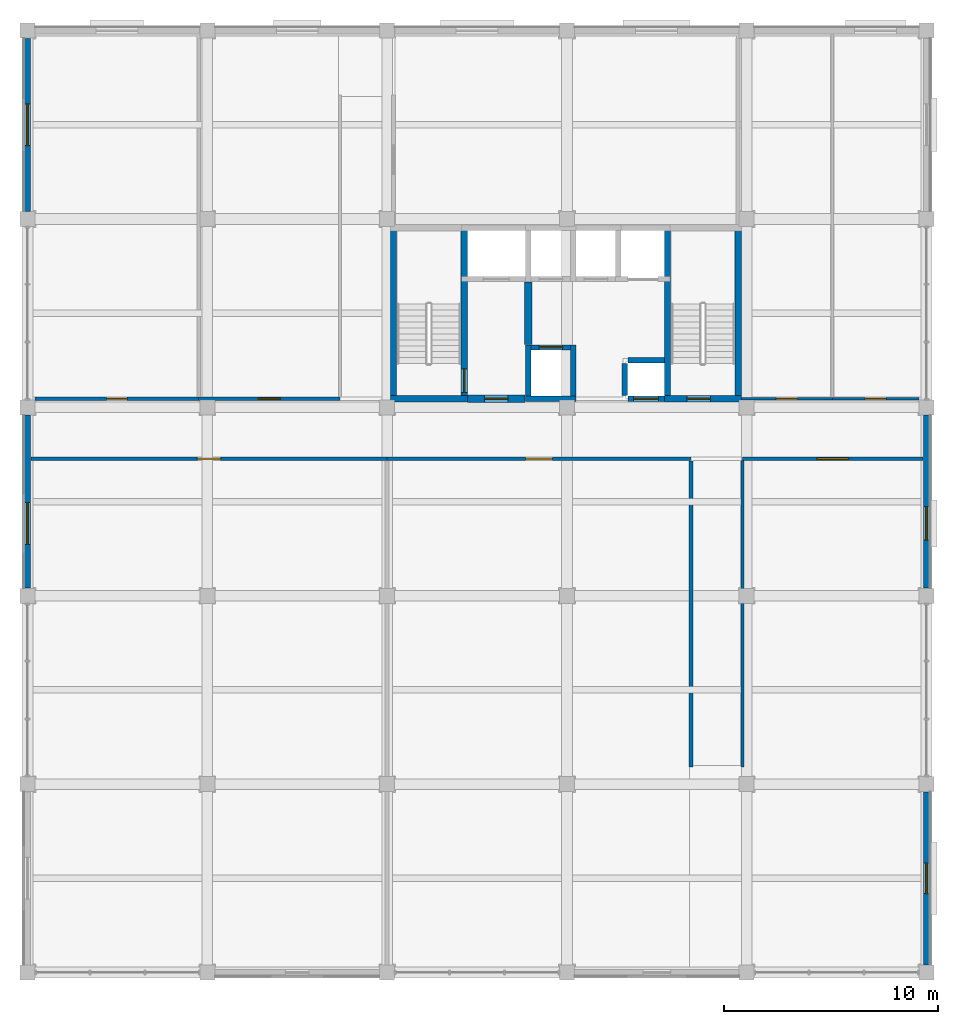
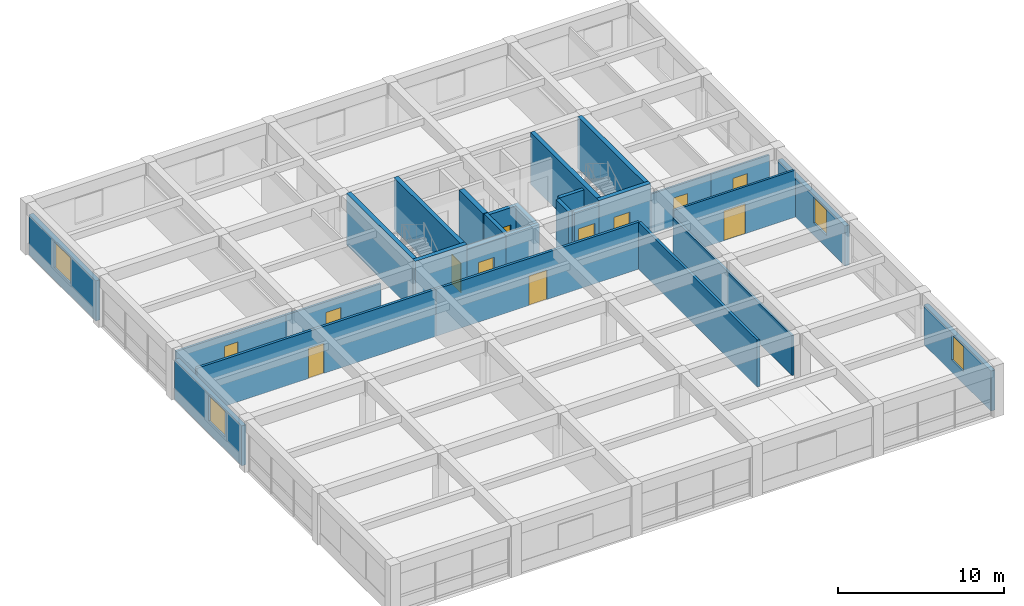
# One storey, part 8 of 12: 28 walls, 12 doors, 4 windows, 16 openings.
"""IFC4 building model written with IfcOpenShell, lengths in metres."""

from ifc_helpers import new_model, si_unit, direction, frame, frame_2d, origin, place, context, subcontext, project, spatial, rectangle, extrude, material, layer, layer_set, type_object, element, fill, save


model = new_model("IFC4")

# Units and contexts
model_context = context("Model", 3, precision=1e-05, world=origin(), true_north=direction((0.0, 1.0)))
body_context = subcontext(model_context, "Body", "Model", "MODEL_VIEW")
ifc_project = project(units=[si_unit("LENGTHUNIT", "METRE"), si_unit("AREAUNIT", "SQUARE_METRE"), si_unit("VOLUMEUNIT", "CUBIC_METRE"), si_unit("PLANEANGLEUNIT", "RADIAN"), si_unit("MASSUNIT", "GRAM", prefix="KILO")], contexts=[model_context])

# Site, building, storey
site_placement = place(None, origin())
site = spatial("IfcSite", under=ifc_project, at=site_placement, CompositionType="ELEMENT")
building_placement = place(site_placement, origin())
building = spatial("IfcBuilding", under=site, at=building_placement, Name="Kemercrest Conservatory and Botanical Centre", CompositionType="ELEMENT")
storey_placement = place(building_placement, frame((0.0, 0.0, 21.0)))
storey = spatial("IfcBuildingStorey", under=building, at=storey_placement, Name="L05", CompositionType="ELEMENT", Elevation=21.0)

# Wall
ifc_material_1 = material(Name="Concrete C50/60", Category="concrete")
ifc_layer_1 = layer(ifc_material_1, 0.35009765625)
ifc_layer_set_1 = layer_set([ifc_layer_1], Name="Concrete C50/60")
wall_type_1 = type_object("IfcWallType", Name="CW-CORE", PredefinedType="SHEAR", material=ifc_layer_set_1)
wall_1_placement = place(storey_placement, frame((157.39990234375, 107.75, 0.0), z_axis=(0.0, 0.0, 1.0), x_axis=(0.0, 1.0, 0.0)))
element("IfcWall", 1, at=wall_1_placement, inside=storey, type_object=wall_type_1, Name="Firefighting lift lobby 2-hour separation shear wall", PredefinedType="SHEAR", context=body_context, shape_type="SweptSolid", body=[
    extrude(rectangle(XDim=2.89990234375, YDim=0.35009765625, at=frame_2d((1.449951171875, 0.0))), origin(), (0.0, 0.0, 1.0), 3.47998046875),
])

# Wall, opening, door
wall_2_placement = place(storey_placement, frame((154.550048828125, 105.199951171875, 0.0), z_axis=(0.0, 0.0, 1.0), x_axis=(1.0, 0.0, 0.0)))
wall_2 = element("IfcWall", 2, at=wall_2_placement, inside=storey, type_object=wall_type_1, Name="Firefighting lift lobby south shear wall", PredefinedType="SHEAR", context=body_context, shape_type="SweptSolid", body=[
    extrude(rectangle(XDim=2.699951171875, YDim=0.35009765625, at=frame_2d((1.35009765625, 0.0))), origin(), (0.0, 0.0, 1.0), 3.47998046875),
])
opening_1_placement = place(wall_2_placement, frame((0.800048828125, 0.0, 0.0)))
opening_1 = element("IfcOpeningElement", 3, at=opening_1_placement, cuts=wall_2, Name="Opening D081", PredefinedType="OPENING", context=body_context, shape_type="SweptSolid", body=[
    extrude(rectangle(XDim=1.10009765625, YDim=2.199951171875, at=frame_2d((0.550048828125, 1.10009765625))), frame((0.0, 0.18505859375, 0.0), z_axis=(0.0, -1.0, 0.0), x_axis=(1.0, 0.0, 0.0)), (0.0, 0.0, 1.0), 0.3701171875),
])
ifc_material_2 = material(Name="Powder-coated galvanized steel and fire-rated vision glass", Category="steel")
door_type_1 = type_object("IfcDoorType", Name="DT-FD90", OperationType="NOTDEFINED", PredefinedType="DOOR", material=ifc_material_2)
door_1_placement = place(opening_1_placement, origin())
door_1 = element("IfcDoor", 4, at=door_1_placement, inside=storey, type_object=door_type_1, Name="Firefighting lift lobby corridor fire door D081", OperationType="SINGLE_SWING_LEFT", OverallHeight=2.199951171875, OverallWidth=1.10009765625, PredefinedType="DOOR", context=body_context, shape_type="SweptSolid", body=[
    extrude(rectangle(XDim=1.10009765625, YDim=2.199951171875, at=frame_2d((0.550048828125, 1.10009765625))), frame((0.0, 0.02490234375, 0.0), z_axis=(0.0, -1.0, 0.0), x_axis=(1.0, 0.0, 0.0)), (0.0, 0.0, 1.0), 0.050048828125),
])
fill(opening_1, door_1)

# Walls
ifc_layer_2 = layer(ifc_material_1, 0.300048828125)
ifc_layer_set_2 = layer_set([ifc_layer_2], Name="Concrete C50/60")
wall_type_2 = type_object("IfcWallType", Name="CW-STAIR", PredefinedType="SHEAR", material=ifc_layer_set_2)
wall_3_placement = place(storey_placement, frame((150.949951171875, 105.199951171875, 0.0), z_axis=(0.0, 0.0, 1.0), x_axis=(1.0, 0.0, 0.0)))
element("IfcWall", 5, at=wall_3_placement, inside=storey, type_object=wall_type_2, Name="Stair core ST-V4A shear wall S", PredefinedType="SHEAR", context=body_context, shape_type="SweptSolid", body=[
    extrude(rectangle(XDim=3.60009765625, YDim=0.300048828125, at=frame_2d((1.800048828125, 0.0))), origin(), (0.0, 0.0, 1.0), 3.800048828125),
])
wall_4_placement = place(storey_placement, frame((151.10009765625, 105.050048828125, 0.0), z_axis=(0.0, 0.0, 1.0), x_axis=(0.0, 1.0, 0.0)))
element("IfcWall", 6, at=wall_4_placement, inside=storey, type_object=wall_type_2, Name="Stair core ST-V4A shear wall W", PredefinedType="SHEAR", context=body_context, shape_type="SweptSolid", body=[
    extrude(rectangle(XDim=8.300048828125, YDim=0.300048828125, at=frame_2d((4.14990234375, 0.0))), origin(), (0.0, 0.0, 1.0), 3.800048828125),
])

# Wall, opening, door
wall_5_placement = place(storey_placement, frame((154.39990234375, 105.050048828125, 0.0), z_axis=(0.0, 0.0, 1.0), x_axis=(0.0, 1.0, 0.0)))
wall_5 = element("IfcWall", 7, at=wall_5_placement, inside=storey, type_object=wall_type_2, Name="Stair core ST-V4A shear wall E", PredefinedType="SHEAR", context=body_context, shape_type="SweptSolid", body=[
    extrude(rectangle(XDim=8.300048828125, YDim=0.300048828125, at=frame_2d((4.14990234375, 0.0))), origin(), (0.0, 0.0, 1.0), 3.800048828125),
])
opening_2_placement = place(wall_5_placement, frame((0.449951171875, 0.0, 0.0)))
opening_2 = element("IfcOpeningElement", 8, at=opening_2_placement, cuts=wall_5, Name="Opening D031", PredefinedType="OPENING", context=body_context, shape_type="SweptSolid", body=[
    extrude(rectangle(XDim=1.10009765625, YDim=2.199951171875, at=frame_2d((0.550048828125, 1.10009765625))), frame((0.0, 0.16015625, 0.0), z_axis=(0.0, -1.0, 0.0), x_axis=(1.0, 0.0, 0.0)), (0.0, 0.0, 1.0), 0.320068359375),
])
door_2_placement = place(opening_2_placement, frame((1.10009765625, 0.0, 0.0), z_axis=(0.0, 0.0, 1.0), x_axis=(-1.0, 0.0, 0.0)))
door_2 = element("IfcDoor", 9, at=door_2_placement, inside=storey, type_object=door_type_1, Name="Exit stair ST-V4A fire door D031", OperationType="SINGLE_SWING_LEFT", OverallHeight=2.199951171875, OverallWidth=1.10009765625, PredefinedType="DOOR", context=body_context, shape_type="SweptSolid", body=[
    extrude(rectangle(XDim=1.10009765625, YDim=2.199951171875, at=frame_2d((0.550048828125, 1.10009765625))), frame((0.0, 0.02490234375, 0.0), z_axis=(0.0, -1.0, 0.0), x_axis=(1.0, 0.0, 0.0)), (0.0, 0.0, 1.0), 0.050048828125),
])
fill(opening_2, door_2)

wall_6_placement = place(storey_placement, frame((163.75, 105.199951171875, 0.0), z_axis=(0.0, 0.0, 1.0), x_axis=(1.0, 0.0, 0.0)))
wall_6 = element("IfcWall", 10, at=wall_6_placement, inside=storey, type_object=wall_type_2, Name="Stair core ST-V4B shear wall S", PredefinedType="SHEAR", context=body_context, shape_type="SweptSolid", body=[
    extrude(rectangle(XDim=3.60009765625, YDim=0.300048828125, at=frame_2d((1.800048828125, 0.0))), origin(), (0.0, 0.0, 1.0), 3.800048828125),
])
opening_3_placement = place(wall_6_placement, frame((1.050048828125, 0.0, 0.0)))
opening_3 = element("IfcOpeningElement", 11, at=opening_3_placement, cuts=wall_6, Name="Opening D050", PredefinedType="OPENING", context=body_context, shape_type="SweptSolid", body=[
    extrude(rectangle(XDim=1.10009765625, YDim=2.199951171875, at=frame_2d((0.550048828125, 1.10009765625))), frame((0.0, 0.16015625, 0.0), z_axis=(0.0, -1.0, 0.0), x_axis=(1.0, 0.0, 0.0)), (0.0, 0.0, 1.0), 0.320068359375),
])
door_3_placement = place(opening_3_placement, origin())
door_3 = element("IfcDoor", 12, at=door_3_placement, inside=storey, type_object=door_type_1, Name="Exit stair ST-V4B fire door D050", OperationType="SINGLE_SWING_RIGHT", OverallHeight=2.199951171875, OverallWidth=1.10009765625, PredefinedType="DOOR", context=body_context, shape_type="SweptSolid", body=[
    extrude(rectangle(XDim=1.10009765625, YDim=2.199951171875, at=frame_2d((0.550048828125, 1.10009765625))), frame((0.0, 0.02490234375, 0.0), z_axis=(0.0, -1.0, 0.0), x_axis=(1.0, 0.0, 0.0)), (0.0, 0.0, 1.0), 0.050048828125),
])
fill(opening_3, door_3)

# Walls
for number, where, z_axis, x_axis, name in (
    (13, (163.89990234375, 105.050048828125, 0.0), (0.0, 0.0, 1.0), (0.0, 1.0, 0.0), "Stair core ST-V4B shear wall W"),
    (14, (167.199951171875, 105.050048828125, 0.0), (0.0, 0.0, 1.0), (0.0, 1.0, 0.0), "Stair core ST-V4B shear wall E"),
):
    element("IfcWall", number, at=place(storey_placement, frame(where, z_axis=z_axis, x_axis=x_axis)), inside=storey, type_object=wall_type_2, Name=name, PredefinedType="SHEAR", context=body_context, shape_type="SweptSolid", body=[
        extrude(rectangle(XDim=8.300048828125, YDim=0.300048828125, at=frame_2d((4.14990234375, 0.0))), origin(), (0.0, 0.0, 1.0), 3.800048828125),
    ])

# Wall, opening, window
ifc_material_3 = material(Name="Precast concrete C40/50", Category="concrete")
ifc_layer_3 = layer(ifc_material_3, 0.300048828125)
ifc_layer_set_3 = layer_set([ifc_layer_3], Name="Precast concrete C40/50")
wall_type_3 = type_object("IfcWallType", Name="W-EXT300", PredefinedType="SOLIDWALL", material=ifc_layer_set_3)
wall_7_placement = place(storey_placement, frame((176.0, 78.760009765625, 0.0), z_axis=(0.0, 0.0, 1.0), x_axis=(0.0, 1.0, 0.0)))
wall_7 = element("IfcWall", 15, at=wall_7_placement, inside=storey, type_object=wall_type_3, Name="Exterior almasik wall W-EXT300 (WAL:L05:EXT-239)", PredefinedType="SOLIDWALL", context=body_context, shape_type="SweptSolid", body=[
    extrude(rectangle(XDim=8.080078125, YDim=0.300048828125, at=frame_2d((4.0400390625, 0.0))), origin(), (0.0, 0.0, 1.0), 2.949951171875),
])
opening_4_placement = place(wall_7_placement, frame((3.330078125, 0.0, 0.89990234375)))
opening_4 = element("IfcOpeningElement", 16, at=opening_4_placement, cuts=wall_7, Name="Opening WT-30", PredefinedType="OPENING", context=body_context, shape_type="SweptSolid", body=[
    extrude(rectangle(XDim=1.419921875, YDim=1.860107421875, at=frame_2d((0.7099609375, 0.93017578125))), frame((0.0, 0.16015625, 0.0), z_axis=(0.0, -1.0, 0.0), x_axis=(1.0, 0.0, 0.0)), (0.0, 0.0, 1.0), 0.320068359375),
])
ifc_material_4 = material(Name="Thermally broken bronze-anodized aluminium and triple glazing", Category="aluminium")
window_type_1 = type_object("IfcWindowType", Name="WT-30", PartitioningType="SINGLE_PANEL", PredefinedType="WINDOW", material=ifc_material_4)
window_1_placement = place(opening_4_placement, origin())
window_1 = element("IfcWindow", 17, at=window_1_placement, inside=storey, type_object=window_type_1, Name="Exterior window WT-30 (WIN:L05:EXT-239)", OverallHeight=1.860107421875, OverallWidth=1.419921875, PartitioningType="SINGLE_PANEL", PredefinedType="WINDOW", context=body_context, shape_type="SweptSolid", body=[
    extrude(rectangle(XDim=1.419921875, YDim=1.860107421875, at=frame_2d((0.7099609375, 0.93017578125))), frame((0.0, 0.030029296875, 0.0), z_axis=(0.0, -1.0, 0.0), x_axis=(1.0, 0.0, 0.0)), (0.0, 0.0, 1.0), 0.06005859375),
])
fill(opening_4, window_1)

wall_8_placement = place(storey_placement, frame((176.0, 96.360107421875, 0.0), z_axis=(0.0, 0.0, 1.0), x_axis=(0.0, 1.0, 0.0)))
wall_8 = element("IfcWall", 18, at=wall_8_placement, inside=storey, type_object=wall_type_3, Name="Exterior almasik wall W-EXT300 (WAL:L05:EXT-240)", PredefinedType="SOLIDWALL", context=body_context, shape_type="SweptSolid", body=[
    extrude(rectangle(XDim=8.079833984375, YDim=0.300048828125, at=frame_2d((4.0400390625, 0.0))), origin(), (0.0, 0.0, 1.0), 2.949951171875),
])
opening_5_placement = place(wall_8_placement, frame((2.239990234375, 0.0, 0.89990234375)))
opening_5 = element("IfcOpeningElement", 19, at=opening_5_placement, cuts=wall_8, Name="Opening WT-31", PredefinedType="OPENING", context=body_context, shape_type="SweptSolid", body=[
    extrude(rectangle(XDim=1.56005859375, YDim=1.8798828125, at=frame_2d((0.780029296875, 0.93994140625))), frame((0.0, 0.16015625, 0.0), z_axis=(0.0, -1.0, 0.0), x_axis=(1.0, 0.0, 0.0)), (0.0, 0.0, 1.0), 0.320068359375),
])
window_type_2 = type_object("IfcWindowType", Name="WT-31", PartitioningType="SINGLE_PANEL", PredefinedType="WINDOW", material=ifc_material_4)
window_2_placement = place(opening_5_placement, origin())
window_2 = element("IfcWindow", 20, at=window_2_placement, inside=storey, type_object=window_type_2, Name="Exterior window WT-31 (WIN:L05:EXT-240)", OverallHeight=1.8798828125, OverallWidth=1.56005859375, PartitioningType="SINGLE_PANEL", PredefinedType="WINDOW", context=body_context, shape_type="SweptSolid", body=[
    extrude(rectangle(XDim=1.56005859375, YDim=1.8798828125, at=frame_2d((0.780029296875, 0.93994140625))), frame((0.0, 0.030029296875, 0.0), z_axis=(0.0, -1.0, 0.0), x_axis=(1.0, 0.0, 0.0)), (0.0, 0.0, 1.0), 0.06005859375),
])
fill(opening_5, window_2)

wall_9_placement = place(storey_placement, frame((134.0, 122.0400390625, 0.0), z_axis=(0.0, 0.0, 1.0), x_axis=(0.0, -1.0, 0.0)))
wall_9 = element("IfcWall", 21, at=wall_9_placement, inside=storey, type_object=wall_type_3, Name="Exterior almasik wall W-EXT300 (WAL:L05:EXT-247)", PredefinedType="SOLIDWALL", context=body_context, shape_type="SweptSolid", body=[
    extrude(rectangle(XDim=8.080078125, YDim=0.300048828125, at=frame_2d((4.0400390625, 0.0))), origin(), (0.0, 0.0, 1.0), 2.949951171875),
])
opening_6_placement = place(wall_9_placement, frame((3.06494140625, 0.0, 0.89990234375)))
opening_6 = element("IfcOpeningElement", 22, at=opening_6_placement, cuts=wall_9, Name="Opening WT-06", PredefinedType="OPENING", context=body_context, shape_type="SweptSolid", body=[
    extrude(rectangle(XDim=1.949951171875, YDim=1.89990234375, at=frame_2d((0.97509765625, 0.949951171875))), frame((0.0, 0.16015625, 0.0), z_axis=(0.0, -1.0, 0.0), x_axis=(1.0, 0.0, 0.0)), (0.0, 0.0, 1.0), 0.320068359375),
])
window_type_3 = type_object("IfcWindowType", Name="WT-06", PartitioningType="SINGLE_PANEL", PredefinedType="WINDOW", material=ifc_material_4)
window_3_placement = place(opening_6_placement, origin())
window_3 = element("IfcWindow", 23, at=window_3_placement, inside=storey, type_object=window_type_3, Name="Exterior window WT-06 (WIN:L05:EXT-247)", OverallHeight=1.89990234375, OverallWidth=1.949951171875, PartitioningType="SINGLE_PANEL", PredefinedType="WINDOW", context=body_context, shape_type="SweptSolid", body=[
    extrude(rectangle(XDim=1.949951171875, YDim=1.89990234375, at=frame_2d((0.97509765625, 0.949951171875))), frame((0.0, 0.030029296875, 0.0), z_axis=(0.0, -1.0, 0.0), x_axis=(1.0, 0.0, 0.0)), (0.0, 0.0, 1.0), 0.06005859375),
])
fill(opening_6, window_3)

wall_10_placement = place(storey_placement, frame((134.0, 104.43994140625, 0.0), z_axis=(0.0, 0.0, 1.0), x_axis=(0.0, -1.0, 0.0)))
wall_10 = element("IfcWall", 24, at=wall_10_placement, inside=storey, type_object=wall_type_3, Name="Exterior almasik wall W-EXT300 (WAL:L05:EXT-248)", PredefinedType="SOLIDWALL", context=body_context, shape_type="SweptSolid", body=[
    extrude(rectangle(XDim=8.079833984375, YDim=0.300048828125, at=frame_2d((4.0400390625, 0.0))), origin(), (0.0, 0.0, 1.0), 2.949951171875),
])
opening_7_placement = place(wall_10_placement, frame((4.0849609375, 0.0, 0.89990234375)))
opening_7 = element("IfcOpeningElement", 25, at=opening_7_placement, cuts=wall_10, Name="Opening WT-06", PredefinedType="OPENING", context=body_context, shape_type="SweptSolid", body=[
    extrude(rectangle(XDim=1.949951171875, YDim=1.89990234375, at=frame_2d((0.97509765625, 0.949951171875))), frame((0.0, 0.16015625, 0.0), z_axis=(0.0, -1.0, 0.0), x_axis=(1.0, 0.0, 0.0)), (0.0, 0.0, 1.0), 0.320068359375),
])
window_4_placement = place(opening_7_placement, origin())
window_4 = element("IfcWindow", 26, at=window_4_placement, inside=storey, type_object=window_type_3, Name="Exterior window WT-06 (WIN:L05:EXT-248)", OverallHeight=1.89990234375, OverallWidth=1.949951171875, PartitioningType="SINGLE_PANEL", PredefinedType="WINDOW", context=body_context, shape_type="SweptSolid", body=[
    extrude(rectangle(XDim=1.949951171875, YDim=1.89990234375, at=frame_2d((0.97509765625, 0.949951171875))), frame((0.0, 0.030029296875, 0.0), z_axis=(0.0, -1.0, 0.0), x_axis=(1.0, 0.0, 0.0)), (0.0, 0.0, 1.0), 0.06005859375),
])
fill(opening_7, window_4)

# Wall, opening, door
ifc_material_5 = material(Name="Moisture-resistant gypsum board partition", Category="gypsum")
ifc_layer_4 = layer(ifc_material_5, 0.125)
ifc_layer_set_4 = layer_set([ifc_layer_4], Name="Moisture-resistant gypsum board partition")
wall_type_4 = type_object("IfcWallType", Name="W-PART125", PredefinedType="PARTITIONING", material=ifc_layer_set_4)
wall_11_placement = place(storey_placement, frame((167.35498046875, 105.199951171875, 0.0), z_axis=(0.0, 0.0, 1.0), x_axis=(1.0, 0.0, 0.0)))
wall_11 = element("IfcWall", 27, at=wall_11_placement, inside=storey, type_object=wall_type_4, Name="Interior partition W-PART125 #180", PredefinedType="PARTITIONING", context=body_context, shape_type="SweptSolid", body=[
    extrude(rectangle(XDim=4.2451171875, YDim=0.125, at=frame_2d((2.12255859375, 0.0))), origin(), (0.0, 0.0, 1.0), 2.945068359375),
])
opening_8_placement = place(wall_11_placement, frame((1.632568359375, 0.0, 0.0)))
opening_8 = element("IfcOpeningElement", 28, at=opening_8_placement, cuts=wall_11, Name="Opening D210", PredefinedType="OPENING", context=body_context, shape_type="SweptSolid", body=[
    extrude(rectangle(XDim=0.97998046875, YDim=2.10009765625, at=frame_2d((0.489990234375, 1.050048828125))), frame((0.0, 0.072509765625, 0.0), z_axis=(0.0, -1.0, 0.0), x_axis=(1.0, 0.0, 0.0)), (0.0, 0.0, 1.0), 0.14501953125),
])
ifc_material_6 = material(Name="FSC solid-core white oak veneer and anodized aluminium frame", Category="aluminium")
door_type_2 = type_object("IfcDoorType", Name="DT-02", OperationType="NOTDEFINED", PredefinedType="DOOR", material=ifc_material_6)
door_4_placement = place(opening_8_placement, origin())
door_4 = element("IfcDoor", 29, at=door_4_placement, inside=storey, type_object=door_type_2, Name="Staff Washroom door D210", OperationType="SINGLE_SWING_RIGHT", OverallHeight=2.10009765625, OverallWidth=0.97998046875, PredefinedType="DOOR", context=body_context, shape_type="SweptSolid", body=[
    extrude(rectangle(XDim=0.97998046875, YDim=2.10009765625, at=frame_2d((0.489990234375, 1.050048828125))), frame((0.0, 0.02490234375, 0.0), z_axis=(0.0, -1.0, 0.0), x_axis=(1.0, 0.0, 0.0)), (0.0, 0.0, 1.0), 0.050048828125),
])
fill(opening_8, door_4)

wall_12_placement = place(storey_placement, frame((171.60009765625, 105.199951171875, 0.0), z_axis=(0.0, 0.0, 1.0), x_axis=(1.0, 0.0, 0.0)))
wall_12 = element("IfcWall", 30, at=wall_12_placement, inside=storey, type_object=wall_type_4, Name="Interior partition W-PART125 #181", PredefinedType="PARTITIONING", context=body_context, shape_type="SweptSolid", body=[
    extrude(rectangle(XDim=4.0498046875, YDim=0.125, at=frame_2d((2.02490234375, 0.0))), origin(), (0.0, 0.0, 1.0), 2.945068359375),
])
opening_9_placement = place(wall_12_placement, frame((1.534912109375, 0.0, 0.0)))
opening_9 = element("IfcOpeningElement", 31, at=opening_9_placement, cuts=wall_12, Name="Opening D211", PredefinedType="OPENING", context=body_context, shape_type="SweptSolid", body=[
    extrude(rectangle(XDim=0.97998046875, YDim=2.10009765625, at=frame_2d((0.489990234375, 1.050048828125))), frame((0.0, 0.072509765625, 0.0), z_axis=(0.0, -1.0, 0.0), x_axis=(1.0, 0.0, 0.0)), (0.0, 0.0, 1.0), 0.14501953125),
])
door_5_placement = place(opening_9_placement, origin())
door_5 = element("IfcDoor", 32, at=door_5_placement, inside=storey, type_object=door_type_2, Name="Accessible Washroom door D211", OperationType="SINGLE_SWING_LEFT", OverallHeight=2.10009765625, OverallWidth=0.97998046875, PredefinedType="DOOR", context=body_context, shape_type="SweptSolid", body=[
    extrude(rectangle(XDim=0.97998046875, YDim=2.10009765625, at=frame_2d((0.489990234375, 1.050048828125))), frame((0.0, 0.02490234375, 0.0), z_axis=(0.0, -1.0, 0.0), x_axis=(1.0, 0.0, 0.0)), (0.0, 0.0, 1.0), 0.050048828125),
])
fill(opening_9, door_5)

ifc_material_7 = material(Name="Steel-stud gypsum board partition", Category="steel")
ifc_layer_5 = layer(ifc_material_7, 0.14990234375)
ifc_layer_set_5 = layer_set([ifc_layer_5], Name="Steel-stud gypsum board partition")
wall_type_5 = type_object("IfcWallType", Name="W-PART150", PredefinedType="PARTITIONING", material=ifc_layer_set_5)
wall_13_placement = place(storey_placement, frame((167.39990234375, 102.39990234375, 0.0), z_axis=(0.0, 0.0, 1.0), x_axis=(1.0, 0.0, 0.0)))
wall_13 = element("IfcWall", 33, at=wall_13_placement, inside=storey, type_object=wall_type_5, Name="Interior partition W-PART150 #177", PredefinedType="PARTITIONING", context=body_context, shape_type="SweptSolid", body=[
    extrude(rectangle(XDim=8.445068359375, YDim=0.14990234375, at=frame_2d((4.22265625, 0.0))), origin(), (0.0, 0.0, 1.0), 3.465087890625),
])
opening_10_placement = place(wall_13_placement, frame((3.482421875, 0.0, 0.0)))
opening_10 = element("IfcOpeningElement", 34, at=opening_10_placement, cuts=wall_13, Name="Opening D207", PredefinedType="OPENING", context=body_context, shape_type="SweptSolid", body=[
    extrude(rectangle(XDim=1.47998046875, YDim=2.199951171875, at=frame_2d((0.739990234375, 1.10009765625))), frame((0.0, 0.0849609375, 0.0), z_axis=(0.0, -1.0, 0.0), x_axis=(1.0, 0.0, 0.0)), (0.0, 0.0, 1.0), 0.169921875),
])
door_type_3 = type_object("IfcDoorType", Name="DT-09", OperationType="DOUBLE_DOOR_SINGLE_SWING", PredefinedType="DOOR", material=ifc_material_6)
door_6_placement = place(opening_10_placement, origin())
door_6 = element("IfcDoor", 35, at=door_6_placement, inside=storey, type_object=door_type_3, Name="Botanical Seminar Room door D207", OperationType="DOUBLE_DOOR_SINGLE_SWING", OverallHeight=2.199951171875, OverallWidth=1.47998046875, PredefinedType="DOOR", context=body_context, shape_type="SweptSolid", body=[
    extrude(rectangle(XDim=1.47998046875, YDim=2.199951171875, at=frame_2d((0.739990234375, 1.10009765625))), frame((0.0, 0.02490234375, 0.0), z_axis=(0.0, -1.0, 0.0), x_axis=(1.0, 0.0, 0.0)), (0.0, 0.0, 1.0), 0.050048828125),
])
fill(opening_10, door_6)

wall_14_placement = place(storey_placement, frame((134.35009765625, 105.199951171875, 0.0), z_axis=(0.0, 0.0, 1.0), x_axis=(1.0, 0.0, 0.0)))
wall_14 = element("IfcWall", 36, at=wall_14_placement, inside=storey, type_object=wall_type_5, Name="Interior partition W-PART150 #178", PredefinedType="PARTITIONING", context=body_context, shape_type="SweptSolid", body=[
    extrude(rectangle(XDim=7.64990234375, YDim=0.14990234375, at=frame_2d((3.824951171875, 0.0))), origin(), (0.0, 0.0, 1.0), 2.945068359375),
])
opening_11_placement = place(wall_14_placement, frame((3.344970703125, 0.0, 0.0)))
opening_11 = element("IfcOpeningElement", 37, at=opening_11_placement, cuts=wall_14, Name="Opening D208", PredefinedType="OPENING", context=body_context, shape_type="SweptSolid", body=[
    extrude(rectangle(XDim=0.9599609375, YDim=2.139892578125, at=frame_2d((0.47998046875, 1.06982421875))), frame((0.0, 0.0849609375, 0.0), z_axis=(0.0, -1.0, 0.0), x_axis=(1.0, 0.0, 0.0)), (0.0, 0.0, 1.0), 0.169921875),
])
door_type_4 = type_object("IfcDoorType", Name="DT-22", OperationType="NOTDEFINED", PredefinedType="DOOR", material=ifc_material_6)
door_7_placement = place(opening_11_placement, origin())
door_7 = element("IfcDoor", 38, at=door_7_placement, inside=storey, type_object=door_type_4, Name="Taxonomic Write-Up Office door D208", OperationType="SINGLE_SWING_RIGHT", OverallHeight=2.139892578125, OverallWidth=0.9599609375, PredefinedType="DOOR", context=body_context, shape_type="SweptSolid", body=[
    extrude(rectangle(XDim=0.9599609375, YDim=2.139892578125, at=frame_2d((0.47998046875, 1.06982421875))), frame((0.0, 0.02490234375, 0.0), z_axis=(0.0, -1.0, 0.0), x_axis=(1.0, 0.0, 0.0)), (0.0, 0.0, 1.0), 0.050048828125),
])
fill(opening_11, door_7)

wall_15_placement = place(storey_placement, frame((142.0, 105.199951171875, 0.0), z_axis=(0.0, 0.0, 1.0), x_axis=(1.0, 0.0, 0.0)))
wall_15 = element("IfcWall", 39, at=wall_15_placement, inside=storey, type_object=wall_type_5, Name="Interior partition W-PART150 #179", PredefinedType="PARTITIONING", context=body_context, shape_type="SweptSolid", body=[
    extrude(rectangle(XDim=6.60009765625, YDim=0.14990234375, at=frame_2d((3.300048828125, 0.0))), origin(), (0.0, 0.0, 1.0), 2.945068359375),
])
opening_12_placement = place(wall_15_placement, frame((2.7900390625, 0.0, 0.0)))
opening_12 = element("IfcOpeningElement", 40, at=opening_12_placement, cuts=wall_15, Name="Opening D209", PredefinedType="OPENING", context=body_context, shape_type="SweptSolid", body=[
    extrude(rectangle(XDim=1.02001953125, YDim=2.159912109375, at=frame_2d((0.510009765625, 1.080078125))), frame((0.0, 0.0849609375, 0.0), z_axis=(0.0, -1.0, 0.0), x_axis=(1.0, 0.0, 0.0)), (0.0, 0.0, 1.0), 0.169921875),
])
door_type_5 = type_object("IfcDoorType", Name="DT-23", OperationType="NOTDEFINED", PredefinedType="DOOR", material=ifc_material_6)
door_8_placement = place(opening_12_placement, origin())
door_8 = element("IfcDoor", 41, at=door_8_placement, inside=storey, type_object=door_type_5, Name="Dry Botany Studio door D209", OperationType="SINGLE_SWING_LEFT", OverallHeight=2.159912109375, OverallWidth=1.02001953125, PredefinedType="DOOR", context=body_context, shape_type="SweptSolid", body=[
    extrude(rectangle(XDim=1.02001953125, YDim=2.159912109375, at=frame_2d((0.510009765625, 1.080078125))), frame((0.0, 0.02490234375, 0.0), z_axis=(0.0, -1.0, 0.0), x_axis=(1.0, 0.0, 0.0)), (0.0, 0.0, 1.0), 0.050048828125),
])
fill(opening_12, door_8)

# Wall
wall_16_placement = place(storey_placement, frame((167.39990234375, 88.0, 0.0), z_axis=(0.0, 0.0, 1.0), x_axis=(0.0, 1.0, 0.0)))
element("IfcWall", 42, at=wall_16_placement, inside=storey, type_object=wall_type_5, Name="Interior partition W-PART150 #183", PredefinedType="PARTITIONING", context=body_context, shape_type="SweptSolid", body=[
    extrude(rectangle(XDim=14.320068359375, YDim=0.14990234375, at=frame_2d((7.16015625, 0.0))), origin(), (0.0, 0.0, 1.0), 2.945068359375),
])

# Wall, opening, door
ifc_material_8 = material(Name="Acoustic steel-stud gypsum board assembly", Category="steel")
ifc_layer_6 = layer(ifc_material_8, 0.179931640625)
ifc_layer_set_6 = layer_set([ifc_layer_6], Name="Acoustic steel-stud gypsum board assembly")
wall_type_6 = type_object("IfcWallType", Name="W-PART180", PredefinedType="PARTITIONING", material=ifc_layer_set_6)
wall_17_placement = place(storey_placement, frame((134.155029296875, 102.39990234375, 0.0), z_axis=(0.0, 0.0, 1.0), x_axis=(1.0, 0.0, 0.0)))
wall_17 = element("IfcWall", 43, at=wall_17_placement, inside=storey, type_object=wall_type_6, Name="Interior partition W-PART180 #175", PredefinedType="PARTITIONING", context=body_context, shape_type="SweptSolid", body=[
    extrude(rectangle(XDim=16.64501953125, YDim=0.179931640625, at=frame_2d((8.322509765625, 0.0))), origin(), (0.0, 0.0, 1.0), 3.465087890625),
])
opening_13_placement = place(wall_17_placement, frame((7.782470703125, 0.0, 0.0)))
opening_13 = element("IfcOpeningElement", 44, at=opening_13_placement, cuts=wall_17, Name="Opening D205", PredefinedType="OPENING", context=body_context, shape_type="SweptSolid", body=[
    extrude(rectangle(XDim=1.080078125, YDim=2.219970703125, at=frame_2d((0.5400390625, 1.10986328125))), frame((0.0, 0.10009765625, 0.0), z_axis=(0.0, -1.0, 0.0), x_axis=(1.0, 0.0, 0.0)), (0.0, 0.0, 1.0), 0.199951171875),
])
door_type_6 = type_object("IfcDoorType", Name="DT-18", OperationType="NOTDEFINED", PredefinedType="DOOR", material=ifc_material_6)
door_9_placement = place(opening_13_placement, origin())
door_9 = element("IfcDoor", 45, at=door_9_placement, inside=storey, type_object=door_type_6, Name="Wet Botanical Research Laboratory door D205", OperationType="SINGLE_SWING_LEFT", OverallHeight=2.219970703125, OverallWidth=1.080078125, PredefinedType="DOOR", context=body_context, shape_type="SweptSolid", body=[
    extrude(rectangle(XDim=1.080078125, YDim=2.219970703125, at=frame_2d((0.5400390625, 1.10986328125))), frame((0.0, 0.02490234375, 0.0), z_axis=(0.0, -1.0, 0.0), x_axis=(1.0, 0.0, 0.0)), (0.0, 0.0, 1.0), 0.050048828125),
])
fill(opening_13, door_9)

wall_18_placement = place(storey_placement, frame((150.800048828125, 102.39990234375, 0.0), z_axis=(0.0, 0.0, 1.0), x_axis=(1.0, 0.0, 0.0)))
wall_18 = element("IfcWall", 46, at=wall_18_placement, inside=storey, type_object=wall_type_6, Name="Interior partition W-PART180 #176", PredefinedType="PARTITIONING", context=body_context, shape_type="SweptSolid", body=[
    extrude(rectangle(XDim=14.199951171875, YDim=0.179931640625, at=frame_2d((7.10009765625, 0.0))), origin(), (0.0, 0.0, 1.0), 3.465087890625),
])
opening_14_placement = place(wall_18_placement, frame((6.47509765625, 0.0, 0.0)))
opening_14 = element("IfcOpeningElement", 47, at=opening_14_placement, cuts=wall_18, Name="Opening D206", PredefinedType="OPENING", context=body_context, shape_type="SweptSolid", body=[
    extrude(rectangle(XDim=1.25, YDim=2.179931640625, at=frame_2d((0.625, 1.08984375))), frame((0.0, 0.10009765625, 0.0), z_axis=(0.0, -1.0, 0.0), x_axis=(1.0, 0.0, 0.0)), (0.0, 0.0, 1.0), 0.199951171875),
])
door_type_7 = type_object("IfcDoorType", Name="DT-19", OperationType="NOTDEFINED", PredefinedType="DOOR", material=ifc_material_6)
door_10_placement = place(opening_14_placement, origin())
door_10 = element("IfcDoor", 48, at=door_10_placement, inside=storey, type_object=door_type_7, Name="Chromatography Instrument Laboratory door D206", OperationType="SINGLE_SWING_RIGHT", OverallHeight=2.179931640625, OverallWidth=1.25, PredefinedType="DOOR", context=body_context, shape_type="SweptSolid", body=[
    extrude(rectangle(XDim=1.25, YDim=2.179931640625, at=frame_2d((0.625, 1.08984375))), frame((0.0, 0.02490234375, 0.0), z_axis=(0.0, -1.0, 0.0), x_axis=(1.0, 0.0, 0.0)), (0.0, 0.0, 1.0), 0.050048828125),
])
fill(opening_14, door_10)

# Walls
wall_19_placement = place(storey_placement, frame((165.0, 88.0, 0.0), z_axis=(0.0, 0.0, 1.0), x_axis=(0.0, 1.0, 0.0)))
element("IfcWall", 49, at=wall_19_placement, inside=storey, type_object=wall_type_6, Name="Interior partition W-PART180 #182", PredefinedType="PARTITIONING", context=body_context, shape_type="SweptSolid", body=[
    extrude(rectangle(XDim=14.304931640625, YDim=0.179931640625, at=frame_2d((7.15234375, 0.0))), origin(), (0.0, 0.0, 1.0), 3.465087890625),
])
ifc_material_9 = material(Name="Concrete C40/50", Category="concrete")
ifc_layer_7 = layer(ifc_material_9, 0.25)
ifc_layer_set_7 = layer_set([ifc_layer_7], Name="Concrete C40/50")
wall_type_7 = type_object("IfcWallType", Name="W-SHFT250", PredefinedType="SOLIDWALL", material=ifc_layer_set_7)
wall_20_placement = place(storey_placement, frame((157.27490234375, 105.199951171875, 0.0), z_axis=(0.0, 0.0, 1.0), x_axis=(1.0, 0.0, 0.0)))
element("IfcWall", 50, at=wall_20_placement, inside=storey, type_object=wall_type_7, Name="Elevator LF-P3 shaft wall south", PredefinedType="SOLIDWALL", context=body_context, shape_type="SweptSolid", body=[
    extrude(rectangle(XDim=2.35009765625, YDim=0.25, at=frame_2d((1.175048828125, 0.0))), origin(), (0.0, 0.0, 1.0), 3.47998046875),
])

# Wall, opening, door
wall_21_placement = place(storey_placement, frame((157.27490234375, 107.60009765625, 0.0), z_axis=(0.0, 0.0, 1.0), x_axis=(1.0, 0.0, 0.0)))
wall_21 = element("IfcWall", 51, at=wall_21_placement, inside=storey, type_object=wall_type_7, Name="Elevator LF-P3 shaft wall north", PredefinedType="SOLIDWALL", context=body_context, shape_type="SweptSolid", body=[
    extrude(rectangle(XDim=2.35009765625, YDim=0.25, at=frame_2d((1.175048828125, 0.0))), origin(), (0.0, 0.0, 1.0), 3.47998046875),
])
opening_15_placement = place(wall_21_placement, frame((0.625, 0.0, 0.0)))
opening_15 = element("IfcOpeningElement", 52, at=opening_15_placement, cuts=wall_21, Name="Opening LD-063", PredefinedType="OPENING", context=body_context, shape_type="SweptSolid", body=[
    extrude(rectangle(XDim=1.10009765625, YDim=2.199951171875, at=frame_2d((0.550048828125, 1.10009765625))), frame((0.0, 0.135009765625, 0.0), z_axis=(0.0, -1.0, 0.0), x_axis=(1.0, 0.0, 0.0)), (0.0, 0.0, 1.0), 0.27001953125),
])
door_type_8 = type_object("IfcDoorType", Name="DT-LD01", OperationType="SLIDING_TO_LEFT", PredefinedType="DOOR", material=ifc_material_2)
door_11_placement = place(opening_15_placement, origin())
door_11 = element("IfcDoor", 53, at=door_11_placement, inside=storey, type_object=door_type_8, Name="Elevator LF-P3 sliding landing door LD-063", OperationType="SLIDING_TO_LEFT", OverallHeight=2.199951171875, OverallWidth=1.10009765625, PredefinedType="DOOR", context=body_context, shape_type="SweptSolid", body=[
    extrude(rectangle(XDim=1.10009765625, YDim=2.199951171875, at=frame_2d((0.550048828125, 1.10009765625))), frame((0.0, 0.02490234375, 0.0), z_axis=(0.0, -1.0, 0.0), x_axis=(1.0, 0.0, 0.0)), (0.0, 0.0, 1.0), 0.050048828125),
])
fill(opening_15, door_11)

# Walls
for number, where, z_axis, x_axis, name in (
    (54, (157.39990234375, 105.074951171875, 0.0), (0.0, 0.0, 1.0), (0.0, 1.0, 0.0), "Elevator LF-P3 shaft wall west"),
    (55, (159.5, 105.074951171875, 0.0), (0.0, 0.0, 1.0), (0.0, 1.0, 0.0), "Elevator LF-P3 shaft wall east"),
):
    element("IfcWall", number, at=place(storey_placement, frame(where, z_axis=z_axis, x_axis=x_axis)), inside=storey, type_object=wall_type_7, Name=name, PredefinedType="SOLIDWALL", context=body_context, shape_type="SweptSolid", body=[
        extrude(rectangle(XDim=2.650146484375, YDim=0.25, at=frame_2d((1.3251953125, 0.0))), origin(), (0.0, 0.0, 1.0), 3.47998046875),
    ])
wall_22_placement = place(storey_placement, frame((161.89990234375, 105.35009765625, 0.0), z_axis=(0.0, 0.0, 1.0), x_axis=(0.0, 1.0, 0.0)))
element("IfcWall", 56, at=wall_22_placement, inside=storey, type_object=wall_type_7, Name="Core service riser shaft wall W", PredefinedType="SOLIDWALL", context=body_context, shape_type="SweptSolid", body=[
    extrude(rectangle(XDim=1.5, YDim=0.25, at=frame_2d((0.75, 0.0))), origin(), (0.0, 0.0, 1.0), 3.47998046875),
])
wall_23_placement = place(storey_placement, frame((162.050048828125, 107.0, 0.0), z_axis=(0.0, 0.0, 1.0), x_axis=(1.0, 0.0, 0.0)))
element("IfcWall", 57, at=wall_23_placement, inside=storey, type_object=wall_type_7, Name="Core service riser shaft wall N", PredefinedType="SOLIDWALL", context=body_context, shape_type="SweptSolid", body=[
    extrude(rectangle(XDim=1.699951171875, YDim=0.25, at=frame_2d((0.85009765625, 0.0))), origin(), (0.0, 0.0, 1.0), 3.47998046875),
])

# Wall, opening, door
wall_24_placement = place(storey_placement, frame((162.050048828125, 105.199951171875, 0.0), z_axis=(0.0, 0.0, 1.0), x_axis=(1.0, 0.0, 0.0)))
wall_24 = element("IfcWall", 58, at=wall_24_placement, inside=storey, type_object=wall_type_7, Name="Core service riser shaft wall S", PredefinedType="SOLIDWALL", context=body_context, shape_type="SweptSolid", body=[
    extrude(rectangle(XDim=1.699951171875, YDim=0.25, at=frame_2d((0.85009765625, 0.0))), origin(), (0.0, 0.0, 1.0), 3.47998046875),
])
opening_16_placement = place(wall_24_placement, frame((0.27001953125, 0.0, 0.0)))
opening_16 = element("IfcOpeningElement", 59, at=opening_16_placement, cuts=wall_24, Name="Opening D082", PredefinedType="OPENING", context=body_context, shape_type="SweptSolid", body=[
    extrude(rectangle(XDim=1.14990234375, YDim=2.199951171875, at=frame_2d((0.574951171875, 1.10009765625))), frame((0.0, 0.135009765625, 0.0), z_axis=(0.0, -1.0, 0.0), x_axis=(1.0, 0.0, 0.0)), (0.0, 0.0, 1.0), 0.27001953125),
])
door_type_9 = type_object("IfcDoorType", Name="DT-FD60", OperationType="NOTDEFINED", PredefinedType="DOOR", material=ifc_material_2)
door_12_placement = place(opening_16_placement, origin())
door_12 = element("IfcDoor", 60, at=door_12_placement, inside=storey, type_object=door_type_9, Name="Service riser access fire door D082", OperationType="SINGLE_SWING_RIGHT", OverallHeight=2.199951171875, OverallWidth=1.14990234375, PredefinedType="DOOR", context=body_context, shape_type="SweptSolid", body=[
    extrude(rectangle(XDim=1.14990234375, YDim=2.199951171875, at=frame_2d((0.574951171875, 1.10009765625))), frame((0.0, 0.02490234375, 0.0), z_axis=(0.0, -1.0, 0.0), x_axis=(1.0, 0.0, 0.0)), (0.0, 0.0, 1.0), 0.050048828125),
])
fill(opening_16, door_12)

save(model, "model.ifc")
